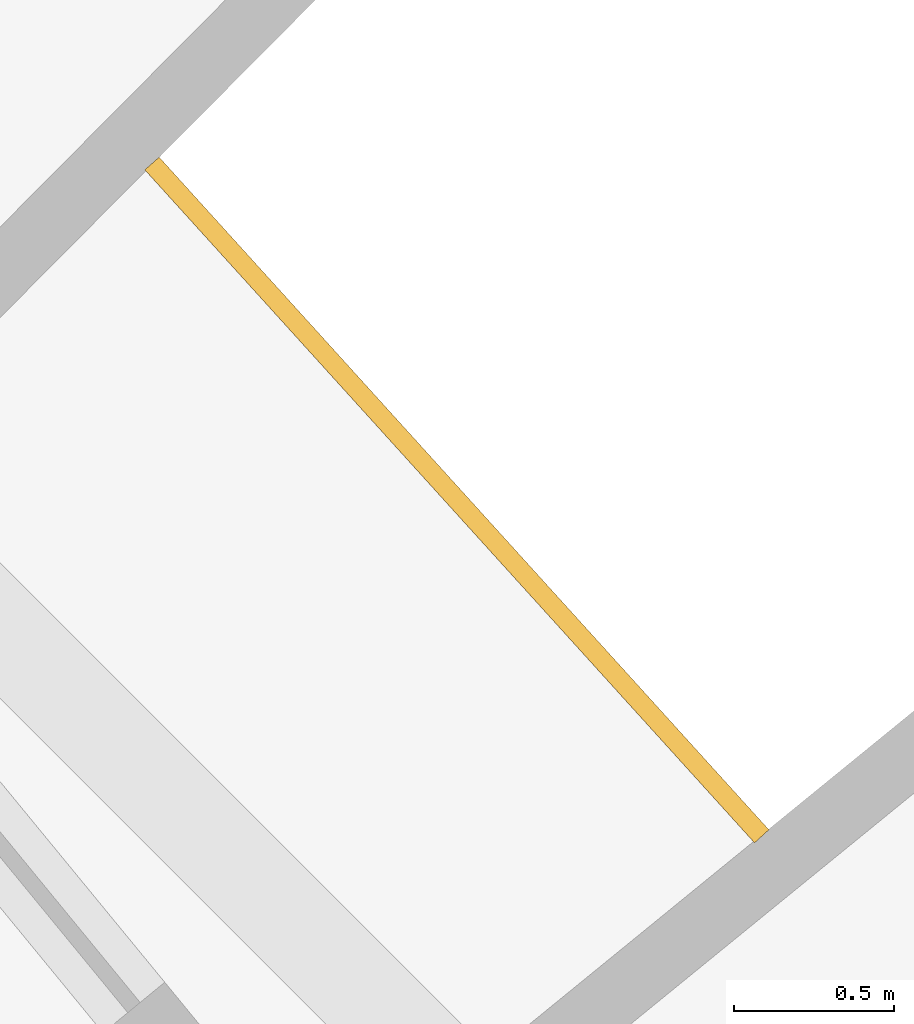
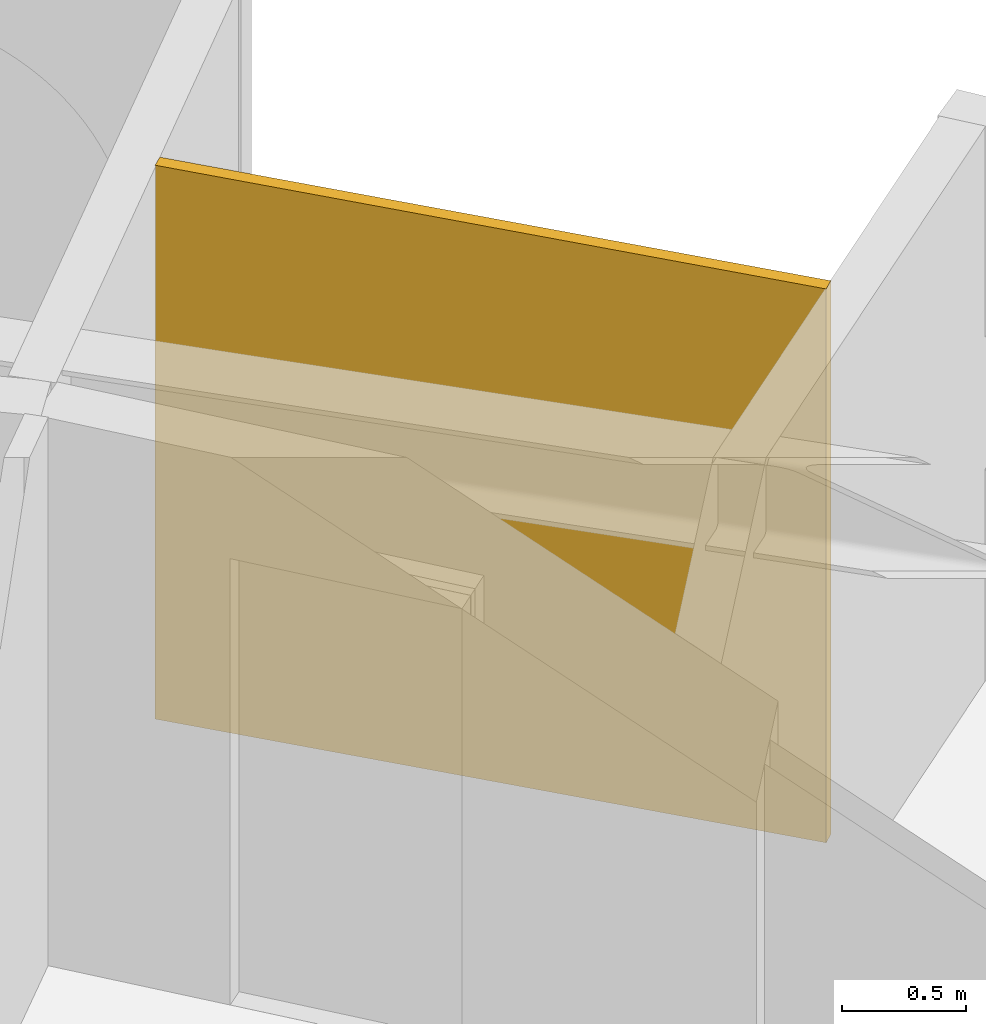
# One storey, part 27 of 27: 1 railing.
"""IFC4 building model written with IfcOpenShell, lengths in metres."""

from ifc_helpers import new_model, si_unit, direction, frame, origin, place, context, subcontext, project, spatial, polyline, outline, extrude, material, layer, layer_set, type_object, element, save


model = new_model("IFC4")

# Units and contexts
model_context = context("Model", 3, precision=1e-05, world=origin(), true_north=direction((0.0, 1.0)))
body_context = subcontext(model_context, "Body", "Model", "MODEL_VIEW")
ifc_project = project(units=[si_unit("LENGTHUNIT", "METRE"), si_unit("AREAUNIT", "SQUARE_METRE"), si_unit("VOLUMEUNIT", "CUBIC_METRE"), si_unit("PLANEANGLEUNIT", "RADIAN"), si_unit("MASSUNIT", "GRAM", prefix="KILO")], contexts=[model_context])

# Site, building, storey
site_placement = place(None, origin())
site = spatial("IfcSite", under=ifc_project, at=site_placement, CompositionType="ELEMENT")
building_placement = place(site_placement, origin())
building = spatial("IfcBuilding", under=site, at=building_placement, Name="Maasbend Ring Residences", CompositionType="ELEMENT")
storey_placement = place(building_placement, frame((0.0, 0.0, 117.75)))
storey = spatial("IfcBuildingStorey", under=building, at=storey_placement, Name="L33", CompositionType="ELEMENT", Elevation=117.75)

# Railing
ifc_material = material(Name="Pale anodised perforated aluminium", Category="aluminium")
ifc_layer = layer(ifc_material, 0.06005859375)
ifc_layer_set = layer_set([ifc_layer], Name="SCREEN-P")
railing_type = type_object("IfcRailingType", Name="SCREEN-P", PredefinedType="GUARDRAIL", material=ifc_layer_set)
railing_placement = place(storey_placement, frame((0.0, 0.0, -0.030029296875)))
element("IfcRailing", 1, at=railing_placement, inside=storey, type_object=railing_type, Name="Perforated screen guard 1", PredefinedType="GUARDRAIL", context=body_context, shape_type="SweptSolid", body=[
    extrude(outline(polyline([(22.4169921875, 18.39697265625), (20.506103515625, 20.506103515625), (20.551025390625, 20.5458984375), (22.4619140625, 18.43798828125), (22.4169921875, 18.39697265625)])), origin(), (0.0, 0.0, 1.0), 2.72998046875),
])

save(model, "model.ifc")
